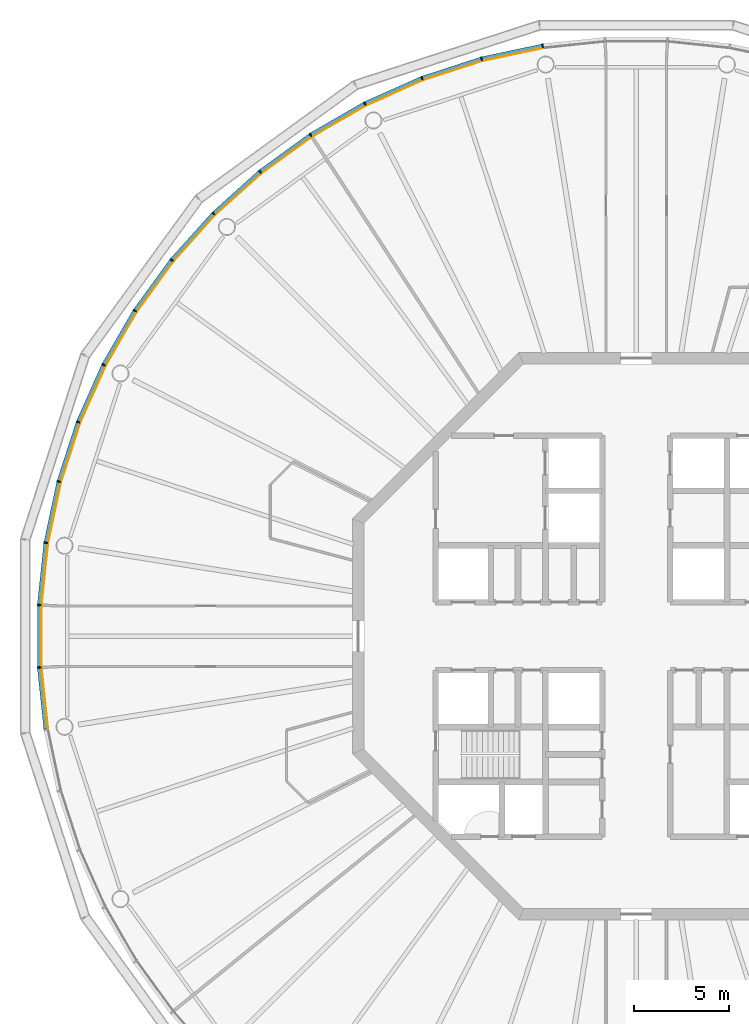
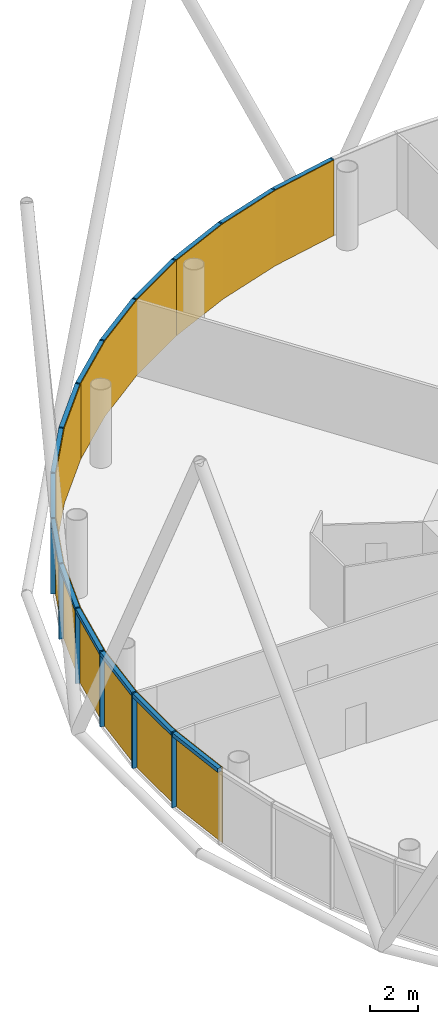
# One storey, part 10 of 13: 30 members, 5 curtain walls.
"""IFC4 building model written with IfcOpenShell, lengths in metres."""

from ifc_helpers import new_model, si_unit, direction, frame, origin, origin_2d, place, context, subcontext, project, spatial, polyline, rectangle, outline, extrude, material, layer, layer_set, material_profile, profile_set, type_object, element, aggregate, save


model = new_model("IFC4")

# Units and contexts
model_context = context("Model", 3, precision=1e-05, world=origin(), true_north=direction((0.0, 1.0)))
body_context = subcontext(model_context, "Body", "Model", "MODEL_VIEW")
ifc_project = project(units=[si_unit("LENGTHUNIT", "METRE"), si_unit("AREAUNIT", "SQUARE_METRE"), si_unit("VOLUMEUNIT", "CUBIC_METRE"), si_unit("PLANEANGLEUNIT", "RADIAN"), si_unit("MASSUNIT", "GRAM", prefix="KILO")], contexts=[model_context])

# Member
ifc_material_1 = material(Name="Anodised aluminium", Category="aluminium")
ifc_material_profile_1 = material_profile(ifc_material_1, rectangle(XDim=0.070068359375, YDim=0.205078125, at=origin_2d()), Name="Mullion 70 x 205 mm anodised aluminium")
ifc_profile_set_1 = profile_set([ifc_material_profile_1], Name="Anodised aluminium")
member_type_1 = type_object("IfcMemberType", Name="Mullion 70 x 205 mm anodised aluminium", PredefinedType="MULLION", material=ifc_profile_set_1)
site_placement = place(None, origin())
building_placement = place(site_placement, origin())
storey_placement = place(building_placement, frame((0.0, 0.0, 336.0)))
member_1_placement = place(storey_placement, frame((85.056396484375, 111.21337890625, 0.0), z_axis=(0.0, 0.0, 1.0), x_axis=(-0.987688340595, -0.15643446504, 0.0)))
member_1 = element("IfcMember", 1, at=member_1_placement, type_object=member_type_1, Name="MULLION L77-15", PredefinedType="MULLION", context=body_context, shape_type="SweptSolid", body=[
    extrude(rectangle(XDim=0.070068359375, YDim=0.205078125, at=origin_2d()), origin(), (0.0, 0.0, 1.0), 3.85009765625),
])

member_2_placement = place(storey_placement, frame((81.820556640625, 110.525634765625, 0.0), z_axis=(0.0, 0.0, 1.0), x_axis=(-0.965925826289, -0.258819045103, 0.0)))
member_2 = element("IfcMember", 2, at=member_2_placement, type_object=member_type_1, Name="MULLION L77-16", PredefinedType="MULLION", context=body_context, shape_type="SweptSolid", body=[
    extrude(rectangle(XDim=0.070068359375, YDim=0.205078125, at=origin_2d()), origin(), (0.0, 0.0, 1.0), 3.85009765625),
])

member_3_placement = place(storey_placement, frame((78.674560546875, 109.50341796875, 0.0), z_axis=(0.0, 0.0, 1.0), x_axis=(-0.933580426497, -0.358367949545, 0.0)))
member_3 = element("IfcMember", 3, at=member_3_placement, type_object=member_type_1, Name="MULLION L77-17", PredefinedType="MULLION", context=body_context, shape_type="SweptSolid", body=[
    extrude(rectangle(XDim=0.070068359375, YDim=0.205078125, at=origin_2d()), origin(), (0.0, 0.0, 1.0), 3.85009765625),
])

member_4_placement = place(storey_placement, frame((75.65283203125, 108.157958984375, 0.0), z_axis=(0.0, 0.0, 1.0), x_axis=(-0.891006524188, -0.45399049974, 0.0)))
member_4 = element("IfcMember", 4, at=member_4_placement, type_object=member_type_1, Name="MULLION L77-18", PredefinedType="MULLION", context=body_context, shape_type="SweptSolid", body=[
    extrude(rectangle(XDim=0.070068359375, YDim=0.205078125, at=origin_2d()), origin(), (0.0, 0.0, 1.0), 3.85009765625),
])

member_5_placement = place(storey_placement, frame((72.7880859375, 106.504150390625, 0.0), z_axis=(0.0, 0.0, 1.0), x_axis=(-0.838670567945, -0.544639035015, 0.0)))
member_5 = element("IfcMember", 5, at=member_5_placement, type_object=member_type_1, Name="MULLION L77-19", PredefinedType="MULLION", context=body_context, shape_type="SweptSolid", body=[
    extrude(rectangle(XDim=0.070068359375, YDim=0.205078125, at=origin_2d()), origin(), (0.0, 0.0, 1.0), 3.85009765625),
])

member_6_placement = place(storey_placement, frame((70.11181640625, 104.559814453125, 0.0), z_axis=(0.0, 0.0, 1.0), x_axis=(-0.777145961457, -0.62932039105, 0.0)))
member_6 = element("IfcMember", 6, at=member_6_placement, type_object=member_type_1, Name="MULLION L77-20", PredefinedType="MULLION", context=body_context, shape_type="SweptSolid", body=[
    extrude(rectangle(XDim=0.070068359375, YDim=0.205078125, at=origin_2d()), origin(), (0.0, 0.0, 1.0), 3.85009765625),
])

member_7_placement = place(storey_placement, frame((67.653564453125, 102.346435546875, 0.0), z_axis=(0.0, 0.0, 1.0), x_axis=(-0.707106781187, -0.707106781187, 0.0)))
member_7 = element("IfcMember", 7, at=member_7_placement, type_object=member_type_1, Name="MULLION L77-21", PredefinedType="MULLION", context=body_context, shape_type="SweptSolid", body=[
    extrude(rectangle(XDim=0.070068359375, YDim=0.205078125, at=origin_2d()), origin(), (0.0, 0.0, 1.0), 3.85009765625),
])

member_8_placement = place(storey_placement, frame((65.440185546875, 99.88818359375, 0.0), z_axis=(0.0, 0.0, 1.0), x_axis=(-0.62932039105, -0.777145961457, 0.0)))
member_8 = element("IfcMember", 8, at=member_8_placement, type_object=member_type_1, Name="MULLION L77-22", PredefinedType="MULLION", context=body_context, shape_type="SweptSolid", body=[
    extrude(rectangle(XDim=0.070068359375, YDim=0.205078125, at=origin_2d()), origin(), (0.0, 0.0, 1.0), 3.85009765625),
])

member_9_placement = place(storey_placement, frame((63.495849609375, 97.2119140625, 0.0), z_axis=(0.0, 0.0, 1.0), x_axis=(-0.544639035015, -0.838670567945, 0.0)))
member_9 = element("IfcMember", 9, at=member_9_placement, type_object=member_type_1, Name="MULLION L77-23", PredefinedType="MULLION", context=body_context, shape_type="SweptSolid", body=[
    extrude(rectangle(XDim=0.070068359375, YDim=0.205078125, at=origin_2d()), origin(), (0.0, 0.0, 1.0), 3.85009765625),
])

member_10_placement = place(storey_placement, frame((61.842041015625, 94.34716796875, 0.0), z_axis=(0.0, 0.0, 1.0), x_axis=(-0.45399049974, -0.891006524188, 0.0)))
member_10 = element("IfcMember", 10, at=member_10_placement, type_object=member_type_1, Name="MULLION L77-24", PredefinedType="MULLION", context=body_context, shape_type="SweptSolid", body=[
    extrude(rectangle(XDim=0.070068359375, YDim=0.205078125, at=origin_2d()), origin(), (0.0, 0.0, 1.0), 3.85009765625),
])

member_11_placement = place(storey_placement, frame((60.49658203125, 91.325439453125, 0.0), z_axis=(0.0, 0.0, 1.0), x_axis=(-0.358367949545, -0.933580426497, 0.0)))
member_11 = element("IfcMember", 11, at=member_11_placement, type_object=member_type_1, Name="MULLION L77-25", PredefinedType="MULLION", context=body_context, shape_type="SweptSolid", body=[
    extrude(rectangle(XDim=0.070068359375, YDim=0.205078125, at=origin_2d()), origin(), (0.0, 0.0, 1.0), 3.85009765625),
])

member_12_placement = place(storey_placement, frame((59.474365234375, 88.179443359375, 0.0), z_axis=(0.0, 0.0, 1.0), x_axis=(-0.258819045103, -0.965925826289, 0.0)))
member_12 = element("IfcMember", 12, at=member_12_placement, type_object=member_type_1, Name="MULLION L77-26", PredefinedType="MULLION", context=body_context, shape_type="SweptSolid", body=[
    extrude(rectangle(XDim=0.070068359375, YDim=0.205078125, at=origin_2d()), origin(), (0.0, 0.0, 1.0), 3.85009765625),
])

member_13_placement = place(storey_placement, frame((58.78662109375, 84.943603515625, 0.0), z_axis=(0.0, 0.0, 1.0), x_axis=(-0.15643446504, -0.987688340595, 0.0)))
member_13 = element("IfcMember", 13, at=member_13_placement, type_object=member_type_1, Name="MULLION L77-27", PredefinedType="MULLION", context=body_context, shape_type="SweptSolid", body=[
    extrude(rectangle(XDim=0.070068359375, YDim=0.205078125, at=origin_2d()), origin(), (0.0, 0.0, 1.0), 3.85009765625),
])

member_14_placement = place(storey_placement, frame((58.44091796875, 81.654052734375, 0.0), z_axis=(0.0, 0.0, 1.0), x_axis=(-0.052335956243, -0.998629534755, 0.0)))
member_14 = element("IfcMember", 14, at=member_14_placement, type_object=member_type_1, Name="MULLION L77-28", PredefinedType="MULLION", context=body_context, shape_type="SweptSolid", body=[
    extrude(rectangle(XDim=0.070068359375, YDim=0.205078125, at=origin_2d()), origin(), (0.0, 0.0, 1.0), 3.85009765625),
])

member_15_placement = place(storey_placement, frame((58.44091796875, 78.345947265625, 0.0), z_axis=(0.0, 0.0, 1.0), x_axis=(0.052335956243, -0.998629534755, 0.0)))
member_15 = element("IfcMember", 15, at=member_15_placement, type_object=member_type_1, Name="MULLION L77-29", PredefinedType="MULLION", context=body_context, shape_type="SweptSolid", body=[
    extrude(rectangle(XDim=0.070068359375, YDim=0.205078125, at=origin_2d()), origin(), (0.0, 0.0, 1.0), 3.85009765625),
])

ifc_material_2 = material(Name="Anodised aluminium", Category="aluminium")
ifc_material_profile_2 = material_profile(ifc_material_2, rectangle(XDim=0.205078125, YDim=0.195068359375, at=origin_2d()), Name="Transom 195 x 205 mm anodised aluminium")
ifc_profile_set_2 = profile_set([ifc_material_profile_2], Name="Anodised aluminium")
member_type_2 = type_object("IfcMemberType", Name="Transom 195 x 205 mm anodised aluminium", PredefinedType="USERDEFINED", material=ifc_profile_set_2)
member_16_placement = place(storey_placement, frame((85.016845703125, 111.205078125, 3.75244140625), z_axis=(-0.978153082647, -0.207885898771, 0.0), x_axis=(0.207885898771, -0.978153082647, 0.0)))
member_16 = element("IfcMember", 16, at=member_16_placement, type_object=member_type_2, Name="TRANSOM L77-15", ObjectType="TRANSOM", PredefinedType="USERDEFINED", context=body_context, shape_type="SweptSolid", body=[
    extrude(rectangle(XDim=0.205078125, YDim=0.195068359375, at=origin_2d()), origin(), (0.0, 0.0, 1.0), 3.227294921875),
])

member_17_placement = place(storey_placement, frame((81.7822265625, 110.513427734375, 3.75244140625), z_axis=(-0.951046855117, -0.309046726844, 0.0), x_axis=(0.309046726844, -0.951046855117, 0.0)))
member_17 = element("IfcMember", 17, at=member_17_placement, type_object=member_type_2, Name="TRANSOM L77-16", ObjectType="TRANSOM", PredefinedType="USERDEFINED", context=body_context, shape_type="SweptSolid", body=[
    extrude(rectangle(XDim=0.205078125, YDim=0.195068359375, at=origin_2d()), origin(), (0.0, 0.0, 1.0), 3.22705078125),
])

member_18_placement = place(storey_placement, frame((78.6376953125, 109.4873046875, 3.75244140625), z_axis=(-0.913521178731, -0.406791170024, 0.0), x_axis=(0.406791170024, -0.913521178731, 0.0)))
member_18 = element("IfcMember", 18, at=member_18_placement, type_object=member_type_2, Name="TRANSOM L77-17", ObjectType="TRANSOM", PredefinedType="USERDEFINED", context=body_context, shape_type="SweptSolid", body=[
    extrude(rectangle(XDim=0.205078125, YDim=0.195068359375, at=origin_2d()), origin(), (0.0, 0.0, 1.0), 3.22705078125),
])

member_19_placement = place(storey_placement, frame((75.61767578125, 108.137939453125, 3.75244140625), z_axis=(-0.866023062494, -0.500004055213, 0.0), x_axis=(0.500004055213, -0.866023062494, 0.0)))
member_19 = element("IfcMember", 19, at=member_19_placement, type_object=member_type_2, Name="TRANSOM L77-18", ObjectType="TRANSOM", PredefinedType="USERDEFINED", context=body_context, shape_type="SweptSolid", body=[
    extrude(rectangle(XDim=0.205078125, YDim=0.195068359375, at=origin_2d()), origin(), (0.0, 0.0, 1.0), 3.22705078125),
])

member_20_placement = place(storey_placement, frame((72.75537109375, 106.48046875, 3.75244140625), z_axis=(-0.809004252048, -0.587802790201, 0.0), x_axis=(0.587802790201, -0.809004252048, 0.0)))
member_20 = element("IfcMember", 20, at=member_20_placement, type_object=member_type_2, Name="TRANSOM L77-19", ObjectType="TRANSOM", PredefinedType="USERDEFINED", context=body_context, shape_type="SweptSolid", body=[
    extrude(rectangle(XDim=0.205078125, YDim=0.195068359375, at=origin_2d()), origin(), (0.0, 0.0, 1.0), 3.227294921875),
])

member_21_placement = place(storey_placement, frame((70.081787109375, 104.532958984375, 3.75244140625), z_axis=(-0.743132370743, -0.669144438484, 0.0), x_axis=(0.669144438484, -0.743132370743, 0.0)))
member_21 = element("IfcMember", 21, at=member_21_placement, type_object=member_type_2, Name="TRANSOM L77-20", ObjectType="TRANSOM", PredefinedType="USERDEFINED", context=body_context, shape_type="SweptSolid", body=[
    extrude(rectangle(XDim=0.205078125, YDim=0.195068359375, at=origin_2d()), origin(), (0.0, 0.0, 1.0), 3.22705078125),
])

member_22_placement = place(storey_placement, frame((67.62646484375, 102.31640625, 3.75244140625), z_axis=(-0.669144438484, -0.743132370743, 0.0), x_axis=(0.743132370743, -0.669144438484, 0.0)))
member_22 = element("IfcMember", 22, at=member_22_placement, type_object=member_type_2, Name="TRANSOM L77-21", ObjectType="TRANSOM", PredefinedType="USERDEFINED", context=body_context, shape_type="SweptSolid", body=[
    extrude(rectangle(XDim=0.205078125, YDim=0.195068359375, at=origin_2d()), origin(), (0.0, 0.0, 1.0), 3.22705078125),
])

member_23_placement = place(storey_placement, frame((65.41650390625, 99.85546875, 3.75244140625), z_axis=(-0.587802790201, -0.809004252048, 0.0), x_axis=(0.809004252048, -0.587802790201, 0.0)))
member_23 = element("IfcMember", 23, at=member_23_placement, type_object=member_type_2, Name="TRANSOM L77-22", ObjectType="TRANSOM", PredefinedType="USERDEFINED", context=body_context, shape_type="SweptSolid", body=[
    extrude(rectangle(XDim=0.205078125, YDim=0.195068359375, at=origin_2d()), origin(), (0.0, 0.0, 1.0), 3.227294921875),
])

member_24_placement = place(storey_placement, frame((63.4755859375, 97.177001953125, 3.75244140625), z_axis=(-0.500004055213, -0.866023062494, 0.0), x_axis=(0.866023062494, -0.500004055213, 0.0)))
member_24 = element("IfcMember", 24, at=member_24_placement, type_object=member_type_2, Name="TRANSOM L77-23", ObjectType="TRANSOM", PredefinedType="USERDEFINED", context=body_context, shape_type="SweptSolid", body=[
    extrude(rectangle(XDim=0.205078125, YDim=0.195068359375, at=origin_2d()), origin(), (0.0, 0.0, 1.0), 3.22705078125),
])

member_25_placement = place(storey_placement, frame((61.825439453125, 94.310302734375, 3.75244140625), z_axis=(-0.406791170024, -0.913521178731, 0.0), x_axis=(0.913521178731, -0.406791170024, 0.0)))
member_25 = element("IfcMember", 25, at=member_25_placement, type_object=member_type_2, Name="TRANSOM L77-24", ObjectType="TRANSOM", PredefinedType="USERDEFINED", context=body_context, shape_type="SweptSolid", body=[
    extrude(rectangle(XDim=0.205078125, YDim=0.195068359375, at=origin_2d()), origin(), (0.0, 0.0, 1.0), 3.22705078125),
])

member_26_placement = place(storey_placement, frame((60.48388671875, 91.286865234375, 3.75244140625), z_axis=(-0.309046726844, -0.951046855117, 0.0), x_axis=(0.951046855117, -0.309046726844, 0.0)))
member_26 = element("IfcMember", 26, at=member_26_placement, type_object=member_type_2, Name="TRANSOM L77-25", ObjectType="TRANSOM", PredefinedType="USERDEFINED", context=body_context, shape_type="SweptSolid", body=[
    extrude(rectangle(XDim=0.205078125, YDim=0.195068359375, at=origin_2d()), origin(), (0.0, 0.0, 1.0), 3.22705078125),
])

member_27_placement = place(storey_placement, frame((59.4658203125, 88.139892578125, 3.75244140625), z_axis=(-0.207885898771, -0.978153082647, 0.0), x_axis=(0.978153082647, -0.207885898771, 0.0)))
member_27 = element("IfcMember", 27, at=member_27_placement, type_object=member_type_2, Name="TRANSOM L77-26", ObjectType="TRANSOM", PredefinedType="USERDEFINED", context=body_context, shape_type="SweptSolid", body=[
    extrude(rectangle(XDim=0.205078125, YDim=0.195068359375, at=origin_2d()), origin(), (0.0, 0.0, 1.0), 3.227294921875),
])

member_28_placement = place(storey_placement, frame((58.7822265625, 84.903564453125, 3.75244140625), z_axis=(-0.104550890115, -0.994519537956, 0.0), x_axis=(0.994519537956, -0.104550890115, 0.0)))
member_28 = element("IfcMember", 28, at=member_28_placement, type_object=member_type_2, Name="TRANSOM L77-27", ObjectType="TRANSOM", PredefinedType="USERDEFINED", context=body_context, shape_type="SweptSolid", body=[
    extrude(rectangle(XDim=0.205078125, YDim=0.195068359375, at=origin_2d()), origin(), (0.0, 0.0, 1.0), 3.22705078125),
])

member_29_placement = place(storey_placement, frame((58.440673828125, 81.613525390625, 3.75244140625), z_axis=(0.0, -1.0, 0.0), x_axis=(1.0, 0.0, 0.0)))
member_29 = element("IfcMember", 29, at=member_29_placement, type_object=member_type_2, Name="TRANSOM L77-28", ObjectType="TRANSOM", PredefinedType="USERDEFINED", context=body_context, shape_type="SweptSolid", body=[
    extrude(rectangle(XDim=0.205078125, YDim=0.195068359375, at=origin_2d()), origin(), (0.0, 0.0, 1.0), 3.22705078125),
])

member_30_placement = place(storey_placement, frame((58.44482421875, 78.305908203125, 3.75244140625), z_axis=(0.104550890115, -0.994519537956, 0.0), x_axis=(0.994519537956, 0.104550890115, 0.0)))
member_30 = element("IfcMember", 30, at=member_30_placement, type_object=member_type_2, Name="TRANSOM L77-29", ObjectType="TRANSOM", PredefinedType="USERDEFINED", context=body_context, shape_type="SweptSolid", body=[
    extrude(rectangle(XDim=0.205078125, YDim=0.195068359375, at=origin_2d()), origin(), (0.0, 0.0, 1.0), 3.22705078125),
])

# Site, building, storey
site = spatial("IfcSite", under=ifc_project, at=site_placement, CompositionType="ELEMENT")
building = spatial("IfcBuilding", under=site, at=building_placement, Name="Entoto Ring Tower", CompositionType="ELEMENT")
storey = spatial("IfcBuildingStorey", under=building, at=storey_placement, Name="L77", CompositionType="ELEMENT", Elevation=336.0)

# Curtain wall
ifc_material_3 = material(Name="Clear low-iron glass", Category="glass")
ifc_layer = layer(ifc_material_3, 0.035888671875)
ifc_layer_set = layer_set([ifc_layer], Name="Clear low-iron glass")
curtain_wall_type = type_object("IfcCurtainWallType", Name="Curtain wall system CW6 glazing 36 mm", PredefinedType="NOTDEFINED", material=ifc_layer_set)
curtain_wall_1_placement = place(storey_placement, origin())
curtain_wall_1 = element("IfcCurtainWall", 31, at=curtain_wall_1_placement, inside=storey, type_object=curtain_wall_type, Name="CW6 L77-06", PredefinedType="NOTDEFINED", context=body_context, shape_type="SweptSolid", body=[
    extrude(outline(polyline([(85.072265625, 111.1123046875), (81.84716796875, 110.4267578125), (78.71142578125, 109.40771484375), (75.69921875, 108.066650390625), (75.715576171875, 108.03466796875), (78.724365234375, 109.3740234375), (81.8564453125, 110.391845703125), (85.077880859375, 111.07666015625), (85.072265625, 111.1123046875)])), origin(), (0.0, 0.0, 1.0), 3.85009765625),
])

aggregate(curtain_wall_1, [member_1, member_2, member_3, member_16, member_17, member_18])

curtain_wall_2_placement = place(storey_placement, origin())
curtain_wall_2 = element("IfcCurtainWall", 32, at=curtain_wall_2_placement, inside=storey, type_object=curtain_wall_type, Name="CW6 L77-07", PredefinedType="NOTDEFINED", context=body_context, shape_type="SweptSolid", body=[
    extrude(outline(polyline([(75.69921875, 108.066650390625), (72.84375, 106.418212890625), (70.176513671875, 104.47998046875), (67.72607421875, 102.27392578125), (67.751708984375, 102.248291015625), (70.198974609375, 104.4521484375), (72.863525390625, 106.387939453125), (75.715576171875, 108.03466796875), (75.69921875, 108.066650390625)])), origin(), (0.0, 0.0, 1.0), 3.85009765625),
])

aggregate(curtain_wall_2, [member_4, member_5, member_6, member_19, member_20, member_21])

curtain_wall_3_placement = place(storey_placement, origin())
curtain_wall_3 = element("IfcCurtainWall", 33, at=curtain_wall_3_placement, inside=storey, type_object=curtain_wall_type, Name="CW6 L77-08", PredefinedType="NOTDEFINED", context=body_context, shape_type="SweptSolid", body=[
    extrude(outline(polyline([(67.72607421875, 102.27392578125), (65.52001953125, 99.823486328125), (63.581787109375, 97.15625), (61.933349609375, 94.30078125), (61.96533203125, 94.284423828125), (63.612060546875, 97.136474609375), (65.5478515625, 99.801025390625), (67.751708984375, 102.248291015625), (67.72607421875, 102.27392578125)])), origin(), (0.0, 0.0, 1.0), 3.85009765625),
])

aggregate(curtain_wall_3, [member_7, member_8, member_9, member_22, member_23, member_24])

curtain_wall_4_placement = place(storey_placement, origin())
curtain_wall_4 = element("IfcCurtainWall", 34, at=curtain_wall_4_placement, inside=storey, type_object=curtain_wall_type, Name="CW6 L77-09", PredefinedType="NOTDEFINED", context=body_context, shape_type="SweptSolid", body=[
    extrude(outline(polyline([(61.933349609375, 94.30078125), (60.59228515625, 91.28857421875), (59.5732421875, 88.15283203125), (58.8876953125, 84.927734375), (58.92333984375, 84.922119140625), (59.608154296875, 88.1435546875), (60.6259765625, 91.275634765625), (61.96533203125, 94.284423828125), (61.933349609375, 94.30078125)])), origin(), (0.0, 0.0, 1.0), 3.85009765625),
])

aggregate(curtain_wall_4, [member_10, member_11, member_12, member_25, member_26, member_27])

curtain_wall_5_placement = place(storey_placement, origin())
curtain_wall_5 = element("IfcCurtainWall", 35, at=curtain_wall_5_placement, inside=storey, type_object=curtain_wall_type, Name="CW6 L77-10", PredefinedType="NOTDEFINED", context=body_context, shape_type="SweptSolid", body=[
    extrude(outline(polyline([(58.8876953125, 84.927734375), (58.543212890625, 81.648681640625), (58.543212890625, 78.351318359375), (58.8876953125, 75.072265625), (58.92333984375, 75.077880859375), (58.5791015625, 78.353271484375), (58.5791015625, 81.646728515625), (58.92333984375, 84.922119140625), (58.8876953125, 84.927734375)])), origin(), (0.0, 0.0, 1.0), 3.85009765625),
])

aggregate(curtain_wall_5, [member_13, member_14, member_15, member_28, member_29, member_30])

save(model, "model.ifc")
